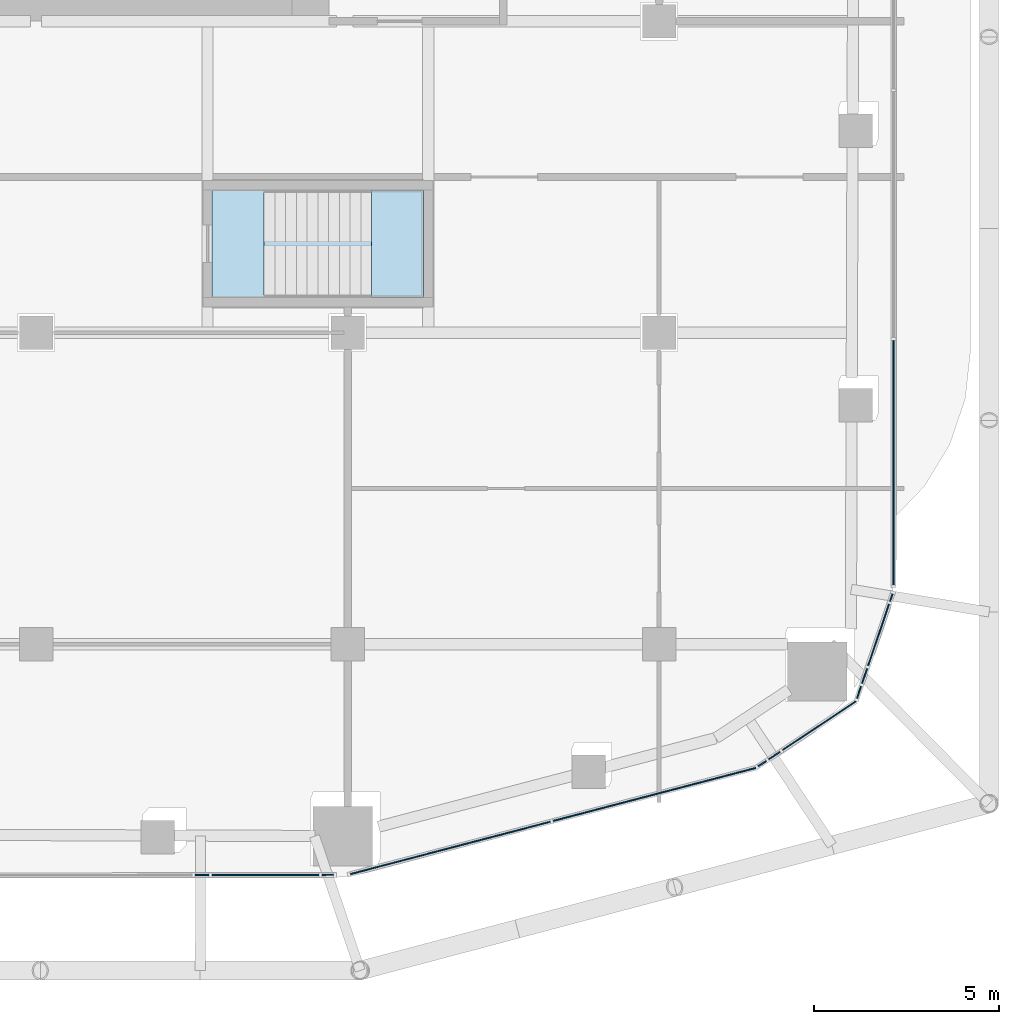
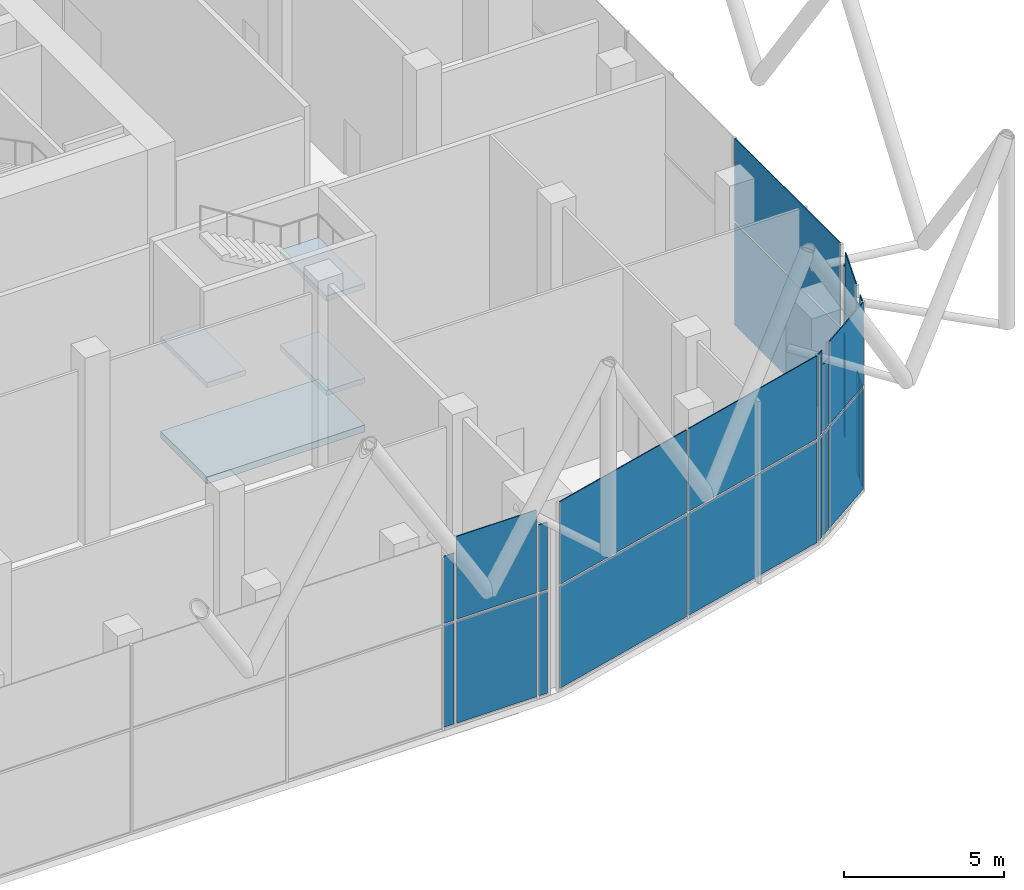
# One storey, part 20 of 34: 26 plates, 4 slabs, 13 elements without a shape of their own.
"""IFC4 building model written with IfcOpenShell, lengths in metres."""

from ifc_helpers import new_model, si_unit, direction, frame, origin, origin_2d, place, context, subcontext, project, spatial, polyline, rectangle, outline, extrude, material, layer, layer_set, type_object, element, aggregate, save


model = new_model("IFC4")

# Units and contexts
model_context = context("Model", 3, precision=1e-05, world=origin(), true_north=direction((0.0, 1.0)))
body_context = subcontext(model_context, "Body", "Model", "MODEL_VIEW")
ifc_project = project(units=[si_unit("LENGTHUNIT", "METRE"), si_unit("AREAUNIT", "SQUARE_METRE"), si_unit("VOLUMEUNIT", "CUBIC_METRE"), si_unit("PLANEANGLEUNIT", "RADIAN"), si_unit("MASSUNIT", "GRAM", prefix="KILO")], contexts=[model_context])

# Site, building, storey
site_placement = place(None, origin())
site = spatial("IfcSite", under=ifc_project, at=site_placement, CompositionType="ELEMENT")
building_placement = place(site_placement, origin())
building = spatial("IfcBuilding", under=site, at=building_placement, Name="Marenta Gate Hotel Tower", CompositionType="ELEMENT")
storey_placement = place(building_placement, frame((0.0, 0.0, 97.699951171875)))
storey = spatial("IfcBuildingStorey", under=building, at=storey_placement, Name="L21", CompositionType="ELEMENT", Elevation=97.699951171875)

# Curtain wall, plates
ifc_material_1 = material(Name="Tinted insulated glass in bronze anodised frame", Category="glass")
ifc_layer_1 = layer(ifc_material_1, 0.1298828125)
ifc_layer_set_1 = layer_set([ifc_layer_1], Name="Tinted insulated glass in bronze anodised frame")
curtain_wall_type = type_object("IfcCurtainWallType", Name="Sky lobby glazing CW2", PredefinedType="NOTDEFINED", material=ifc_layer_set_1)
curtain_wall_1_placement = place(storey_placement, origin())
curtain_wall_1 = element("IfcCurtainWall", 1, at=curtain_wall_1_placement, inside=storey, type_object=curtain_wall_type, Name="CW2 run G22", PredefinedType="NOTDEFINED")
ifc_material_2 = material(Name="Tinted insulated glass", Category="glass")
ifc_layer_2 = layer(ifc_material_2, 0.033935546875)
ifc_layer_set_2 = layer_set([ifc_layer_2], Name="Tinted insulated glass")
plate_type = type_object("IfcPlateType", Name="Glass panel CW2 34 mm tinted insulated unit", PredefinedType="CURTAIN_PANEL", material=ifc_layer_set_2)
plate_1_placement = place(storey_placement, frame((8.67431640625, -23.023681640625, 0.080078125), z_axis=(0.0, 0.0, 1.0), x_axis=(0.999999122847, 0.001324502144, 0.0)))
plate_1 = element("IfcPlate", 2, at=plate_1_placement, type_object=plate_type, Name="CW2 panel 1.1", PredefinedType="CURTAIN_PANEL", context=body_context, shape_type="SweptSolid", body=[
    extrude(rectangle(XDim=0.373046875, YDim=0.033935546875, at=origin_2d()), origin(), (0.0, 0.0, 1.0), 3.8798828125),
])
plate_2_placement = place(storey_placement, frame((8.67431640625, -23.023681640625, 4.0400390625), z_axis=(0.0, 0.0, 1.0), x_axis=(0.999999122847, 0.001324502144, 0.0)))
plate_2 = element("IfcPlate", 3, at=plate_2_placement, type_object=plate_type, Name="CW2 panel 1.2", PredefinedType="CURTAIN_PANEL", context=body_context, shape_type="SweptSolid", body=[
    extrude(rectangle(XDim=0.373046875, YDim=0.033935546875, at=origin_2d()), origin(), (0.0, 0.0, 1.0), 2.560546875),
])
aggregate(curtain_wall_1, [plate_1, plate_2])

curtain_wall_2_placement = place(storey_placement, origin())
curtain_wall_2 = element("IfcCurtainWall", 4, at=curtain_wall_2_placement, inside=storey, type_object=curtain_wall_type, Name="CW2 run G23", PredefinedType="NOTDEFINED")
plate_3_placement = place(storey_placement, frame((10.382080078125, -23.021240234375, 0.080078125), z_axis=(0.0, 0.0, 1.0), x_axis=(0.999999042385, 0.001383918211, 0.0)))
plate_3 = element("IfcPlate", 5, at=plate_3_placement, type_object=plate_type, Name="CW2 panel 1.1", PredefinedType="CURTAIN_PANEL", context=body_context, shape_type="SweptSolid", body=[
    extrude(rectangle(XDim=2.882568359375, YDim=0.033935546875, at=origin_2d()), origin(), (0.0, 0.0, 1.0), 3.8798828125),
])
plate_4_placement = place(storey_placement, frame((10.382080078125, -23.021240234375, 4.0400390625), z_axis=(0.0, 0.0, 1.0), x_axis=(0.999999042385, 0.001383918211, 0.0)))
plate_4 = element("IfcPlate", 6, at=plate_4_placement, type_object=plate_type, Name="CW2 panel 1.2", PredefinedType="CURTAIN_PANEL", context=body_context, shape_type="SweptSolid", body=[
    extrude(rectangle(XDim=2.882568359375, YDim=0.033935546875, at=origin_2d()), origin(), (0.0, 0.0, 1.0), 3.159912109375),
])
aggregate(curtain_wall_2, [plate_3, plate_4])

curtain_wall_3_placement = place(storey_placement, origin())
curtain_wall_3 = element("IfcCurtainWall", 7, at=curtain_wall_3_placement, inside=storey, type_object=curtain_wall_type, Name="CW2 run G24", PredefinedType="NOTDEFINED")
plate_5_placement = place(storey_placement, frame((12.0625, -23.01904296875, 0.080078125), z_axis=(0.0, 0.0, 1.0), x_axis=(0.999999212858, 0.001254704164, 0.0)))
plate_5 = element("IfcPlate", 8, at=plate_5_placement, type_object=plate_type, Name="CW2 panel 1.1", PredefinedType="CURTAIN_PANEL", context=body_context, shape_type="SweptSolid", body=[
    extrude(rectangle(XDim=0.318115234375, YDim=0.033935546875, at=origin_2d()), origin(), (0.0, 0.0, 1.0), 3.8798828125),
])
plate_6_placement = place(storey_placement, frame((12.0625, -23.01904296875, 4.0400390625), z_axis=(0.0, 0.0, 1.0), x_axis=(0.999999212858, 0.001254704164, 0.0)))
plate_6 = element("IfcPlate", 9, at=plate_6_placement, type_object=plate_type, Name="CW2 panel 1.2", PredefinedType="CURTAIN_PANEL", context=body_context, shape_type="SweptSolid", body=[
    extrude(rectangle(XDim=0.318115234375, YDim=0.033935546875, at=origin_2d()), origin(), (0.0, 0.0, 1.0), 2.560546875),
])
aggregate(curtain_wall_3, [plate_5, plate_6])

curtain_wall_4_placement = place(storey_placement, origin())
curtain_wall_4 = element("IfcCurtainWall", 10, at=curtain_wall_4_placement, inside=storey, type_object=curtain_wall_type, Name="CW2 run G25", PredefinedType="NOTDEFINED")
plate_7_placement = place(storey_placement, frame((15.37060546875, -22.292236328125, 0.080078125), z_axis=(0.0, 0.0, 1.0), x_axis=(0.967370326487, 0.253366634412, 0.0)))
plate_7 = element("IfcPlate", 11, at=plate_7_placement, type_object=plate_type, Name="CW2 panel 1.1", PredefinedType="CURTAIN_PANEL", context=body_context, shape_type="SweptSolid", body=[
    extrude(rectangle(XDim=5.5712890625, YDim=0.033935546875, at=origin_2d()), origin(), (0.0, 0.0, 1.0), 3.8798828125),
])
plate_8_placement = place(storey_placement, frame((15.37060546875, -22.292236328125, 4.0400390625), z_axis=(0.0, 0.0, 1.0), x_axis=(0.967370326487, 0.253366634412, 0.0)))
plate_8 = element("IfcPlate", 12, at=plate_8_placement, type_object=plate_type, Name="CW2 panel 1.2", PredefinedType="CURTAIN_PANEL", context=body_context, shape_type="SweptSolid", body=[
    extrude(rectangle(XDim=5.5712890625, YDim=0.033935546875, at=origin_2d()), origin(), (0.0, 0.0, 1.0), 3.159912109375),
])
plate_9_placement = place(storey_placement, frame((20.876220703125, -20.85009765625, 0.080078125), z_axis=(0.0, 0.0, 1.0), x_axis=(0.967370326487, 0.253366634412, 0.0)))
plate_9 = element("IfcPlate", 13, at=plate_9_placement, type_object=plate_type, Name="CW2 panel 2.1", PredefinedType="CURTAIN_PANEL", context=body_context, shape_type="SweptSolid", body=[
    extrude(rectangle(XDim=5.6513671875, YDim=0.033935546875, at=origin_2d()), origin(), (0.0, 0.0, 1.0), 3.8798828125),
])
plate_10_placement = place(storey_placement, frame((20.876220703125, -20.85009765625, 4.0400390625), z_axis=(0.0, 0.0, 1.0), x_axis=(0.967370326487, 0.253366634412, 0.0)))
plate_10 = element("IfcPlate", 14, at=plate_10_placement, type_object=plate_type, Name="CW2 panel 2.2", PredefinedType="CURTAIN_PANEL", context=body_context, shape_type="SweptSolid", body=[
    extrude(rectangle(XDim=5.6513671875, YDim=0.033935546875, at=origin_2d()), origin(), (0.0, 0.0, 1.0), 3.159912109375),
])
aggregate(curtain_wall_4, [plate_7, plate_8, plate_9, plate_10])

curtain_wall_5_placement = place(storey_placement, origin())
curtain_wall_5 = element("IfcCurtainWall", 15, at=curtain_wall_5_placement, inside=storey, type_object=curtain_wall_type, Name="CW2 run G26", PredefinedType="NOTDEFINED")
plate_11_placement = place(storey_placement, frame((23.78125, -20.02001953125, 0.080078125), z_axis=(0.0, 0.0, 1.0), x_axis=(0.832466779106, 0.554074960349, 0.0)))
plate_11 = element("IfcPlate", 16, at=plate_11_placement, type_object=plate_type, Name="CW2 panel 1.1", PredefinedType="CURTAIN_PANEL", context=body_context, shape_type="SweptSolid", body=[
    extrude(rectangle(XDim=0.252197265625, YDim=0.033935546875, at=origin_2d()), origin(), (0.0, 0.0, 1.0), 3.8798828125),
])
plate_12_placement = place(storey_placement, frame((23.78125, -20.02001953125, 4.0400390625), z_axis=(0.0, 0.0, 1.0), x_axis=(0.832466779106, 0.554074960349, 0.0)))
plate_12 = element("IfcPlate", 17, at=plate_12_placement, type_object=plate_type, Name="CW2 panel 1.2", PredefinedType="CURTAIN_PANEL", context=body_context, shape_type="SweptSolid", body=[
    extrude(rectangle(XDim=0.252197265625, YDim=0.033935546875, at=origin_2d()), origin(), (0.0, 0.0, 1.0), 3.159912109375),
])
aggregate(curtain_wall_5, [plate_11, plate_12])

curtain_wall_6_placement = place(storey_placement, origin())
curtain_wall_6 = element("IfcCurtainWall", 18, at=curtain_wall_6_placement, inside=storey, type_object=curtain_wall_type, Name="CW2 run G27", PredefinedType="NOTDEFINED")
plate_13_placement = place(storey_placement, frame((24.108154296875, -19.802490234375, 0.080078125), z_axis=(0.0, 0.0, 1.0), x_axis=(0.832457612814, 0.554088731944, 0.0)))
plate_13 = element("IfcPlate", 19, at=plate_13_placement, type_object=plate_type, Name="CW2 panel 1.1", PredefinedType="CURTAIN_PANEL", context=body_context, shape_type="SweptSolid", body=[
    extrude(rectangle(XDim=0.373046875, YDim=0.033935546875, at=origin_2d()), origin(), (0.0, 0.0, 1.0), 3.8798828125),
])
plate_14_placement = place(storey_placement, frame((24.108154296875, -19.802490234375, 4.0400390625), z_axis=(0.0, 0.0, 1.0), x_axis=(0.832457612814, 0.554088731944, 0.0)))
plate_14 = element("IfcPlate", 20, at=plate_14_placement, type_object=plate_type, Name="CW2 panel 1.2", PredefinedType="CURTAIN_PANEL", context=body_context, shape_type="SweptSolid", body=[
    extrude(rectangle(XDim=0.373046875, YDim=0.033935546875, at=origin_2d()), origin(), (0.0, 0.0, 1.0), 2.560546875),
])
aggregate(curtain_wall_6, [plate_13, plate_14])

curtain_wall_7_placement = place(storey_placement, origin())
curtain_wall_7 = element("IfcCurtainWall", 21, at=curtain_wall_7_placement, inside=storey, type_object=curtain_wall_type, Name="CW2 run G28", PredefinedType="NOTDEFINED")
plate_15_placement = place(storey_placement, frame((25.319580078125, -18.996337890625, 0.080078125), z_axis=(0.0, 0.0, 1.0), x_axis=(0.832500796706, 0.554023847397, 0.0)))
plate_15 = element("IfcPlate", 22, at=plate_15_placement, type_object=plate_type, Name="CW2 panel 1.1", PredefinedType="CURTAIN_PANEL", context=body_context, shape_type="SweptSolid", body=[
    extrude(rectangle(XDim=2.377197265625, YDim=0.033935546875, at=origin_2d()), origin(), (0.0, 0.0, 1.0), 3.8798828125),
])
plate_16_placement = place(storey_placement, frame((25.319580078125, -18.996337890625, 4.0400390625), z_axis=(0.0, 0.0, 1.0), x_axis=(0.832500796706, 0.554023847397, 0.0)))
plate_16 = element("IfcPlate", 23, at=plate_16_placement, type_object=plate_type, Name="CW2 panel 1.2", PredefinedType="CURTAIN_PANEL", context=body_context, shape_type="SweptSolid", body=[
    extrude(rectangle(XDim=2.377197265625, YDim=0.033935546875, at=origin_2d()), origin(), (0.0, 0.0, 1.0), 3.159912109375),
])
aggregate(curtain_wall_7, [plate_15, plate_16])

curtain_wall_8_placement = place(storey_placement, origin())
curtain_wall_8 = element("IfcCurtainWall", 24, at=curtain_wall_8_placement, inside=storey, type_object=curtain_wall_type, Name="CW2 run G29", PredefinedType="NOTDEFINED")
plate_17_placement = place(storey_placement, frame((26.390869140625, -18.09765625, 0.080078125), z_axis=(0.0, 0.0, 1.0), x_axis=(0.321978241805, 0.946747068548, 0.0)))
plate_17 = element("IfcPlate", 25, at=plate_17_placement, type_object=plate_type, Name="CW2 panel 1.1", PredefinedType="CURTAIN_PANEL", context=body_context, shape_type="SweptSolid", body=[
    extrude(rectangle(XDim=0.347412109375, YDim=0.033935546875, at=origin_2d()), origin(), (0.0, 0.0, 1.0), 3.8798828125),
])
plate_18_placement = place(storey_placement, frame((26.390869140625, -18.09765625, 4.0400390625), z_axis=(0.0, 0.0, 1.0), x_axis=(0.321978241805, 0.946747068548, 0.0)))
plate_18 = element("IfcPlate", 26, at=plate_18_placement, type_object=plate_type, Name="CW2 panel 1.2", PredefinedType="CURTAIN_PANEL", context=body_context, shape_type="SweptSolid", body=[
    extrude(rectangle(XDim=0.347412109375, YDim=0.033935546875, at=origin_2d()), origin(), (0.0, 0.0, 1.0), 3.159912109375),
])
aggregate(curtain_wall_8, [plate_17, plate_18])

curtain_wall_9_placement = place(storey_placement, origin())
curtain_wall_9 = element("IfcCurtainWall", 27, at=curtain_wall_9_placement, inside=storey, type_object=curtain_wall_type, Name="CW2 run G30", PredefinedType="NOTDEFINED")
plate_19_placement = place(storey_placement, frame((26.541015625, -17.65576171875, 0.080078125), z_axis=(0.0, 0.0, 1.0), x_axis=(0.322147049132, 0.946689642246, 0.0)))
plate_19 = element("IfcPlate", 28, at=plate_19_placement, type_object=plate_type, Name="CW2 panel 1.1", PredefinedType="CURTAIN_PANEL", context=body_context, shape_type="SweptSolid", body=[
    extrude(rectangle(XDim=0.42626953125, YDim=0.033935546875, at=origin_2d()), origin(), (0.0, 0.0, 1.0), 3.8798828125),
])
plate_20_placement = place(storey_placement, frame((26.541015625, -17.65576171875, 4.0400390625), z_axis=(0.0, 0.0, 1.0), x_axis=(0.322147049132, 0.946689642246, 0.0)))
plate_20 = element("IfcPlate", 29, at=plate_20_placement, type_object=plate_type, Name="CW2 panel 1.2", PredefinedType="CURTAIN_PANEL", context=body_context, shape_type="SweptSolid", body=[
    extrude(rectangle(XDim=0.42626953125, YDim=0.033935546875, at=origin_2d()), origin(), (0.0, 0.0, 1.0), 2.560546875),
])
aggregate(curtain_wall_9, [plate_19, plate_20])

curtain_wall_10_placement = place(storey_placement, origin())
curtain_wall_10 = element("IfcCurtainWall", 30, at=curtain_wall_10_placement, inside=storey, type_object=curtain_wall_type, Name="CW2 run G31", PredefinedType="NOTDEFINED")
plate_21_placement = place(storey_placement, frame((26.918212890625, -16.546875, 0.080078125), z_axis=(0.0, 0.0, 1.0), x_axis=(0.322021843584, 0.946732238943, 0.0)))
plate_21 = element("IfcPlate", 31, at=plate_21_placement, type_object=plate_type, Name="CW2 panel 1.1", PredefinedType="CURTAIN_PANEL", context=body_context, shape_type="SweptSolid", body=[
    extrude(rectangle(XDim=1.756103515625, YDim=0.033935546875, at=origin_2d()), origin(), (0.0, 0.0, 1.0), 3.8798828125),
])
plate_22_placement = place(storey_placement, frame((26.918212890625, -16.546875, 4.0400390625), z_axis=(0.0, 0.0, 1.0), x_axis=(0.322021843584, 0.946732238943, 0.0)))
plate_22 = element("IfcPlate", 32, at=plate_22_placement, type_object=plate_type, Name="CW2 panel 1.2", PredefinedType="CURTAIN_PANEL", context=body_context, shape_type="SweptSolid", body=[
    extrude(rectangle(XDim=1.756103515625, YDim=0.033935546875, at=origin_2d()), origin(), (0.0, 0.0, 1.0), 3.159912109375),
])
aggregate(curtain_wall_10, [plate_21, plate_22])

curtain_wall_11_placement = place(storey_placement, origin())
curtain_wall_11 = element("IfcCurtainWall", 33, at=curtain_wall_11_placement, inside=storey, type_object=curtain_wall_type, Name="CW2 run G32", PredefinedType="NOTDEFINED")
plate_23_placement = place(storey_placement, frame((27.260009765625, -15.542236328125, 0.080078125), z_axis=(0.0, 0.0, 1.0), x_axis=(0.322039841818, 0.946726116827, 0.0)))
plate_23 = element("IfcPlate", 34, at=plate_23_placement, type_object=plate_type, Name="CW2 panel 1.1", PredefinedType="CURTAIN_PANEL", context=body_context, shape_type="SweptSolid", body=[
    extrude(rectangle(XDim=0.2060546875, YDim=0.033935546875, at=origin_2d()), origin(), (0.0, 0.0, 1.0), 3.8798828125),
])
plate_24_placement = place(storey_placement, frame((27.260009765625, -15.542236328125, 4.0400390625), z_axis=(0.0, 0.0, 1.0), x_axis=(0.322039841818, 0.946726116827, 0.0)))
plate_24 = element("IfcPlate", 35, at=plate_24_placement, type_object=plate_type, Name="CW2 panel 1.2", PredefinedType="CURTAIN_PANEL", context=body_context, shape_type="SweptSolid", body=[
    extrude(rectangle(XDim=0.2060546875, YDim=0.033935546875, at=origin_2d()), origin(), (0.0, 0.0, 1.0), 2.560546875),
])
aggregate(curtain_wall_11, [plate_23, plate_24])

curtain_wall_12_placement = place(storey_placement, origin())
curtain_wall_12 = element("IfcCurtainWall", 36, at=curtain_wall_12_placement, inside=storey, type_object=curtain_wall_type, Name="CW2 run G33", PredefinedType="NOTDEFINED")
plate_25_placement = place(storey_placement, frame((27.319091796875, -11.902099609375, 0.080078125), z_axis=(0.0, 0.0, 1.0), x_axis=(0.0, 1.0, 0.0)))
plate_25 = element("IfcPlate", 37, at=plate_25_placement, type_object=plate_type, Name="CW2 panel 1.1", PredefinedType="CURTAIN_PANEL", context=body_context, shape_type="SweptSolid", body=[
    extrude(rectangle(XDim=6.58740234375, YDim=0.033935546875, at=origin_2d()), origin(), (0.0, 0.0, 1.0), 3.8798828125),
])
plate_26_placement = place(storey_placement, frame((27.319091796875, -11.902099609375, 4.0400390625), z_axis=(0.0, 0.0, 1.0), x_axis=(0.0, 1.0, 0.0)))
plate_26 = element("IfcPlate", 38, at=plate_26_placement, type_object=plate_type, Name="CW2 panel 1.2", PredefinedType="CURTAIN_PANEL", context=body_context, shape_type="SweptSolid", body=[
    extrude(rectangle(XDim=6.58740234375, YDim=0.033935546875, at=origin_2d()), origin(), (0.0, 0.0, 1.0), 3.159912109375),
])
aggregate(curtain_wall_12, [plate_25, plate_26])

# Stair, slabs
ifc_material_3 = material(Name="Concrete C40", Category="concrete")
stair_type = type_object("IfcStairType", Name="Remote exit stair 1400 wide", PredefinedType="HALF_TURN_STAIR", material=ifc_material_3)
stair_placement = place(storey_placement, origin())
stair = element("IfcStair", 39, at=stair_placement, inside=storey, type_object=stair_type, Name="Exit stair RS-Z2-2", PredefinedType="HALF_TURN_STAIR")
ifc_material_4 = material(Name="Concrete C40", Category="concrete")
ifc_layer_3 = layer(ifc_material_4, 0.199951171875)
ifc_layer_set_3 = layer_set([ifc_layer_3], Name="Concrete C40")
slab_type_1 = type_object("IfcSlabType", Name="Remote stair landing 200", PredefinedType="LANDING", material=ifc_layer_set_3)
slab_1_placement = place(storey_placement, frame((0.0, 0.0, 1.60009765625)))
slab_1 = element("IfcSlab", 40, at=slab_1_placement, type_object=slab_type_1, Name="RL-200 RS-Z2-2 landing 1", PredefinedType="LANDING", context=body_context, shape_type="SweptSolid", body=[
    extrude(outline(polyline([(13.25, -7.449951171875), (14.64990234375, -7.449951171875), (14.64990234375, -4.550048828125), (13.25, -4.550048828125), (13.25, -7.449951171875)])), origin(), (0.0, 0.0, 1.0), 0.199951171875),
])
slab_2_placement = place(storey_placement, frame((0.0, 0.0, 3.400146484375)))
slab_2 = element("IfcSlab", 41, at=slab_2_placement, type_object=slab_type_1, Name="RL-200 RS-Z2-2 landing 2", PredefinedType="LANDING", context=body_context, shape_type="SweptSolid", body=[
    extrude(outline(polyline([(8.949951171875, -7.449951171875), (10.35009765625, -7.449951171875), (10.35009765625, -4.550048828125), (8.949951171875, -4.550048828125), (8.949951171875, -7.449951171875)])), origin(), (0.0, 0.0, 1.0), 0.199951171875),
])
slab_3_placement = place(storey_placement, frame((0.0, 0.0, 5.199951171875)))
slab_3 = element("IfcSlab", 42, at=slab_3_placement, type_object=slab_type_1, Name="RL-200 RS-Z2-2 landing 3", PredefinedType="LANDING", context=body_context, shape_type="SweptSolid", body=[
    extrude(outline(polyline([(13.25, -7.449951171875), (14.64990234375, -7.449951171875), (14.64990234375, -4.550048828125), (13.25, -4.550048828125), (13.25, -7.449951171875)])), origin(), (0.0, 0.0, 1.0), 0.2001953125),
])
aggregate(stair, [slab_1, slab_2, slab_3])

# Slab
ifc_material_5 = material(Name="Concrete C40", Category="concrete")
ifc_layer_4 = layer(ifc_material_5, 0.300048828125)
ifc_layer_set_4 = layer_set([ifc_layer_4], Name="Concrete C40")
slab_type_2 = type_object("IfcSlabType", Name="Stair floor landing slab 300", PredefinedType="FLOOR", material=ifc_layer_set_4)
slab_4_placement = place(storey_placement, frame((0.0, 0.0, -0.260009765625)))
element("IfcSlab", 43, at=slab_4_placement, inside=storey, type_object=slab_type_2, Name="L21-RS-Z2-2-CL", PredefinedType="FLOOR", context=body_context, shape_type="SweptSolid", body=[
    extrude(outline(polyline([(14.64990234375, -7.449951171875), (14.64990234375, -4.550048828125), (8.949951171875, -4.550048828125), (8.949951171875, -7.449951171875), (14.64990234375, -7.449951171875)])), origin(), (0.0, 0.0, 1.0), 0.260009765625),
])

save(model, "model.ifc")
